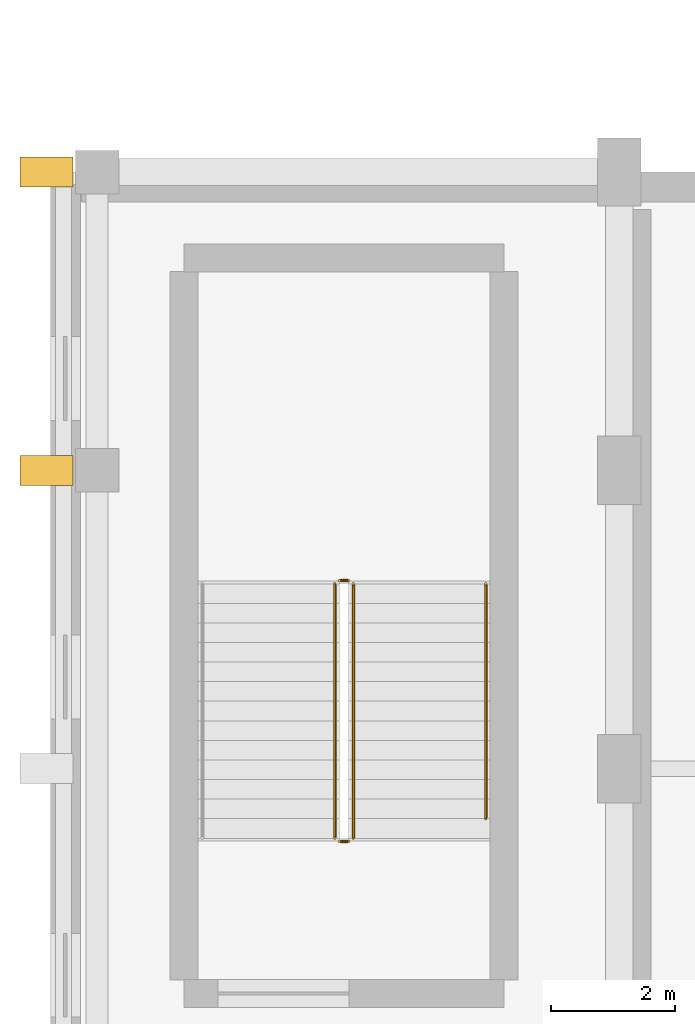
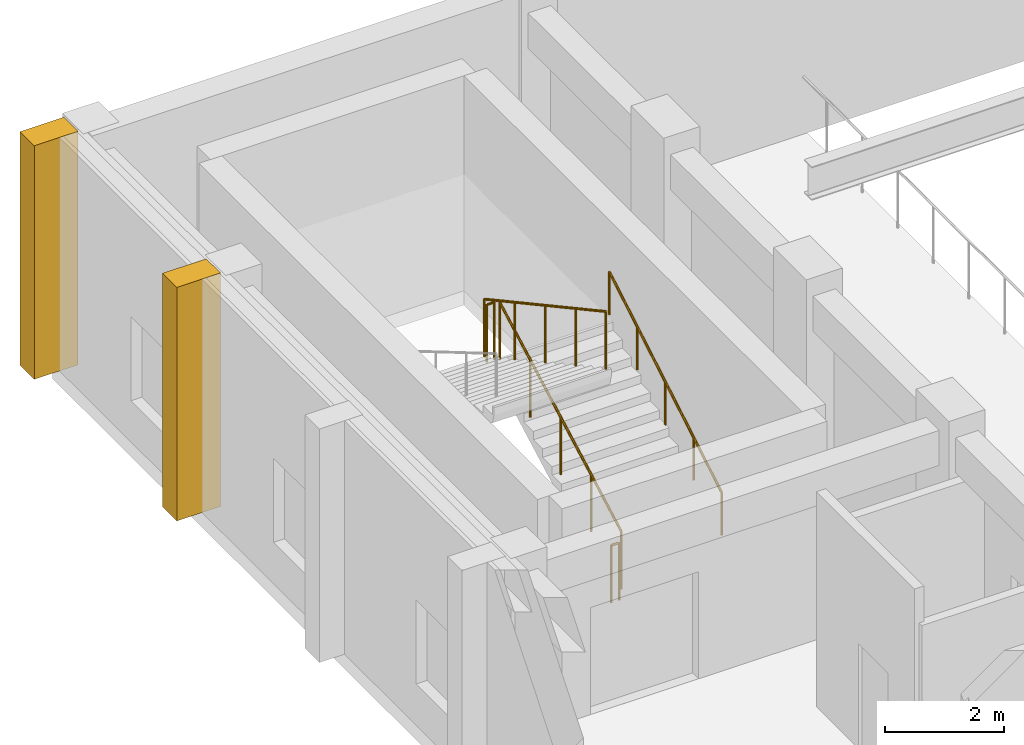
# One storey, part 122 of 133: 5 railings, 2 coverings.
"""IFC4 building model written with IfcOpenShell, lengths in metres."""

from ifc_helpers import new_model, si_unit, direction, frame, origin, origin_2d, place, context, subcontext, project, spatial, rectangle, circle, extrude, material, layer, layer_set, type_object, element, save


model = new_model("IFC4")

# Units and contexts
model_context = context("Model", 3, precision=1e-05, world=origin(), true_north=direction((0.0, 1.0)))
body_context = subcontext(model_context, "Body", "Model", "MODEL_VIEW")
ifc_project = project(units=[si_unit("LENGTHUNIT", "METRE"), si_unit("AREAUNIT", "SQUARE_METRE"), si_unit("VOLUMEUNIT", "CUBIC_METRE"), si_unit("PLANEANGLEUNIT", "RADIAN"), si_unit("MASSUNIT", "GRAM", prefix="KILO")], contexts=[model_context])

# Site, building, storey
site_placement = place(None, origin())
site = spatial("IfcSite", under=ifc_project, at=site_placement, CompositionType="ELEMENT")
building_placement = place(site_placement, origin())
building = spatial("IfcBuilding", under=site, at=building_placement, Name="Nakhvara Creek Congress Hotel", CompositionType="ELEMENT")
storey_placement = place(building_placement, frame((0.0, 0.0, 11.39990234375)))
storey = spatial("IfcBuildingStorey", under=building, at=storey_placement, Name="L02", CompositionType="ELEMENT", Elevation=11.39990234375)

# Coverings
ifc_material_1 = material(Name="Honed pale Omani limestone architectural cladding", Category="masonry")
ifc_layer = layer(ifc_material_1, 0.449951171875)
ifc_layer_set = layer_set([ifc_layer], Name="Honed pale Omani limestone architectural cladding")
covering_type = type_object("IfcCoveringType", Name="COV-BUTT-850", PredefinedType="CLADDING", material=ifc_layer_set)
for number, where, z_axis, x_axis, name in (
    (1, (-0.06494140625, 81.60009765625, 0.0), (0.0, 0.0, 1.0), (0.0, 1.0, 0.0), "Gothic Limestone Buttress Pier CF03-0494"),
    (2, (-0.06494140625, 86.39990234375, 0.0), (0.0, 0.0, 1.0), (0.0, 1.0, 0.0), "Gothic Limestone Buttress Pier CF03-0495"),
):
    element("IfcCovering", number, at=place(storey_placement, frame(where, z_axis=z_axis, x_axis=x_axis)), inside=storey, type_object=covering_type, Name=name, PredefinedType="CLADDING", context=body_context, shape_type="SweptSolid", body=[
        extrude(rectangle(XDim=0.47998046875, YDim=0.85009765625, at=origin_2d()), origin(), (0.0, 0.0, 1.0), 4.800048828125),
    ])

# Railings
ifc_material_2 = material(Name="Brushed stainless steel 316L", Category="steel")
railing_type_1 = type_object("IfcRailingType", Name="RL-GUARD-1200", PredefinedType="GUARDRAIL", material=ifc_material_2)
railing_1_placement = place(storey_placement, frame((4.875, 75.679931640625, 0.171630859375)))
element("IfcRailing", 3, at=railing_1_placement, inside=storey, type_object=railing_type_1, Name="L02 ST07 stair guard 1", PredefinedType="GUARDRAIL", context=body_context, shape_type="SweptSolid", body=[
    extrude(circle(Radius=0.02392578125, at=origin_2d()), frame((0.0, 0.012939453125, 1.182861328125), z_axis=(0.0, 0.878355465225, 0.478008029963), x_axis=(-1.0, 0.0, 0.0)), (0.0, 0.0, 1.0), 4.6328125),
    extrude(circle(Radius=0.02099609375, at=origin_2d()), origin(), (0.0, 0.0, 1.0), 1.1806640625),
    extrude(circle(Radius=0.02099609375, at=origin_2d()), frame((0.0, 1.023681640625, 0.55712890625)), (0.0, 0.0, 1.0), 1.1806640625),
    extrude(circle(Radius=0.02099609375, at=origin_2d()), frame((0.0, 2.04736328125, 1.1142578125)), (0.0, 0.0, 1.0), 1.1806640625),
    extrude(circle(Radius=0.02099609375, at=origin_2d()), frame((0.0, 3.0712890625, 1.67138671875)), (0.0, 0.0, 1.0), 1.1806640625),
    extrude(circle(Radius=0.02099609375, at=origin_2d()), frame((0.0, 4.094970703125, 2.228515625)), (0.0, 0.0, 1.0), 1.1806640625),
])
railing_2_placement = place(storey_placement, frame((4.800048828125, 79.824951171875, 2.400146484375)))
element("IfcRailing", 4, at=railing_2_placement, inside=storey, type_object=railing_type_1, Name="L02 ST07 stair guard 2", PredefinedType="GUARDRAIL", context=body_context, shape_type="SweptSolid", body=[
    extrude(circle(Radius=0.02392578125, at=origin_2d()), frame((-0.0146484375, 0.0, 1.17578125), z_axis=(-1.0, 0.0, 0.0), x_axis=(0.0, -1.0, 0.0)), (0.0, 0.0, 1.0), 0.120849609375),
    extrude(circle(Radius=0.02099609375, at=origin_2d()), origin(), (0.0, 0.0, 1.0), 1.1806640625),
    extrude(circle(Radius=0.02099609375, at=origin_2d()), frame((-0.150146484375, 0.0, 0.0)), (0.0, 0.0, 1.0), 1.1806640625),
])
railing_3_placement = place(storey_placement, frame((4.574951171875, 79.77490234375, 2.571533203125)))
element("IfcRailing", 5, at=railing_3_placement, inside=storey, type_object=railing_type_1, Name="L02 ST07 stair guard 3", PredefinedType="GUARDRAIL", context=body_context, shape_type="SweptSolid", body=[
    extrude(circle(Radius=0.02392578125, at=origin_2d()), frame((0.0, -0.012939453125, 1.182861328125), z_axis=(0.0, -0.878355465225, 0.478008029963), x_axis=(1.0, 0.0, 0.0)), (0.0, 0.0, 1.0), 4.6328125),
    extrude(circle(Radius=0.02099609375, at=origin_2d()), origin(), (0.0, 0.0, 1.0), 1.1806640625),
    extrude(circle(Radius=0.02099609375, at=origin_2d()), frame((0.0, -1.023681640625, 0.55712890625)), (0.0, 0.0, 1.0), 1.1806640625),
    extrude(circle(Radius=0.02099609375, at=origin_2d()), frame((0.0, -2.04736328125, 1.1142578125)), (0.0, 0.0, 1.0), 1.1806640625),
    extrude(circle(Radius=0.02099609375, at=origin_2d()), frame((0.0, -3.0712890625, 1.67138671875)), (0.0, 0.0, 1.0), 1.1806640625),
    extrude(circle(Radius=0.02099609375, at=origin_2d()), frame((0.0, -4.094970703125, 2.228515625)), (0.0, 0.0, 1.0), 1.1806640625),
])
railing_4_placement = place(storey_placement, frame((4.800048828125, 75.6298828125, 0.0)))
element("IfcRailing", 6, at=railing_4_placement, inside=storey, type_object=railing_type_1, Name="L02 ST07 stair guard 4", PredefinedType="GUARDRAIL", context=body_context, shape_type="SweptSolid", body=[
    extrude(circle(Radius=0.02392578125, at=origin_2d()), frame((-0.0146484375, 0.0, 1.17578125), z_axis=(-1.0, 0.0, 0.0), x_axis=(0.0, -1.0, 0.0)), (0.0, 0.0, 1.0), 0.120849609375),
    extrude(circle(Radius=0.02099609375, at=origin_2d()), origin(), (0.0, 0.0, 1.0), 1.1806640625),
    extrude(circle(Radius=0.02099609375, at=origin_2d()), frame((-0.150146484375, 0.0, 0.0)), (0.0, 0.0, 1.0), 1.1806640625),
])
railing_type_2 = type_object("IfcRailingType", Name="RL-HAND-900", PredefinedType="HANDRAIL", material=ifc_material_2)
railing_5_placement = place(storey_placement, frame((7.0048828125, 75.9951171875, 0.343017578125)))
element("IfcRailing", 7, at=railing_5_placement, inside=storey, type_object=railing_type_2, Name="L02 ST07 stair handrail 1", PredefinedType="HANDRAIL", context=body_context, shape_type="SweptSolid", body=[
    extrude(circle(Radius=0.02392578125, at=origin_2d()), frame((0.0, 0.0126953125, 0.88330078125), z_axis=(0.0, 0.860328540156, 0.509739936627), x_axis=(-1.0, 0.0, 0.0)), (0.0, 0.0, 1.0), 4.364013671875),
    extrude(circle(Radius=0.02099609375, at=origin_2d()), origin(), (0.0, 0.0, 1.0), 0.880615234375),
    extrude(circle(Radius=0.02099609375, at=origin_2d()), frame((0.0, 0.94482421875, 0.559814453125)), (0.0, 0.0, 1.0), 0.880615234375),
    extrude(circle(Radius=0.02099609375, at=origin_2d()), frame((0.0, 1.889892578125, 1.11962890625)), (0.0, 0.0, 1.0), 0.880615234375),
    extrude(circle(Radius=0.02099609375, at=origin_2d()), frame((0.0, 2.8349609375, 1.6796875)), (0.0, 0.0, 1.0), 0.880615234375),
    extrude(circle(Radius=0.02099609375, at=origin_2d()), frame((0.0, 3.77978515625, 2.239501953125)), (0.0, 0.0, 1.0), 0.880615234375),
])

save(model, "model.ifc")
